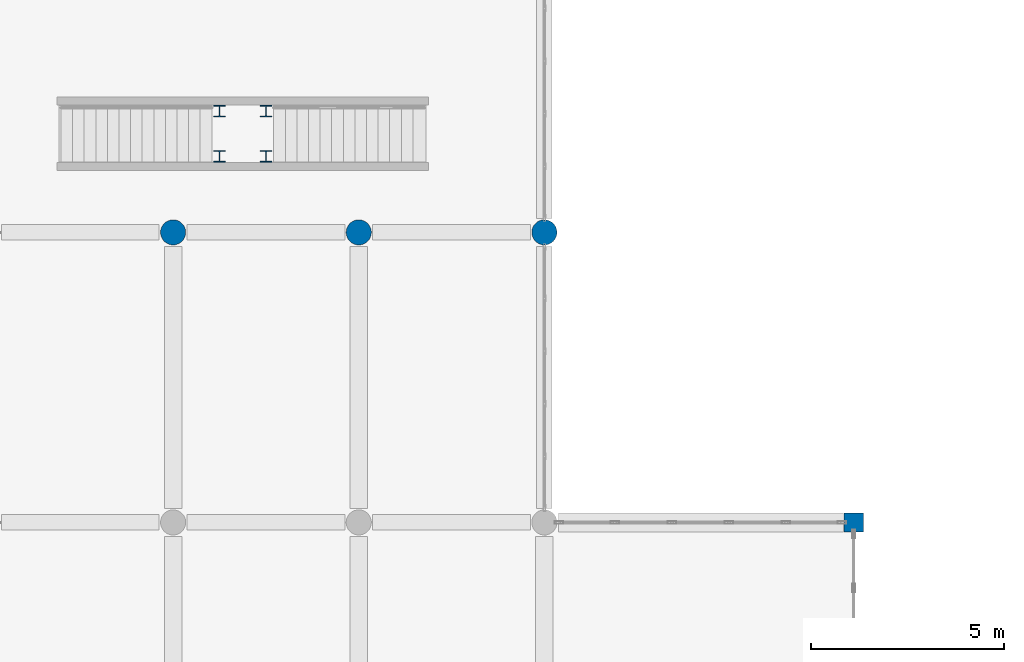
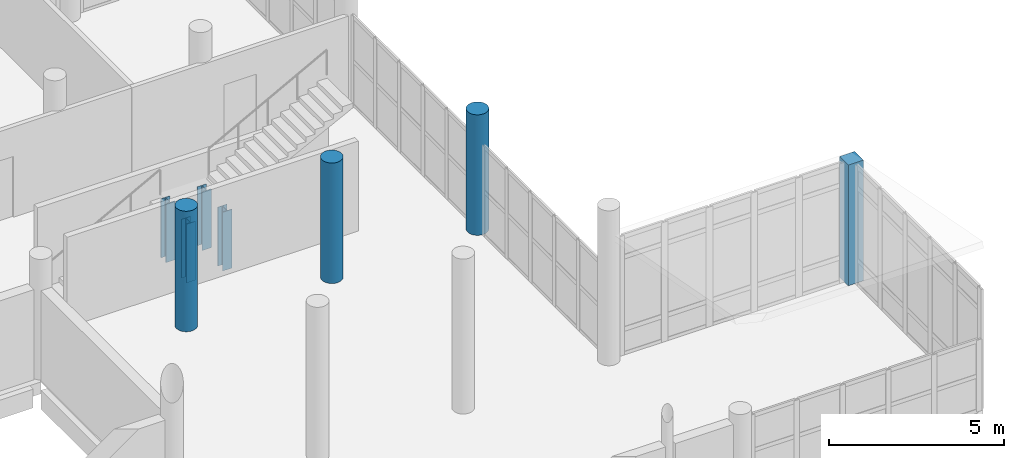
# One storey, part 11 of 164: 8 columns.
"""IFC4 building model written with IfcOpenShell, lengths in metres."""

from ifc_helpers import new_model, si_unit, direction, frame, origin, origin_2d, place, context, subcontext, project, spatial, rectangle, circle, i_section, extrude, material, material_profile, profile_set, type_object, element, save


model = new_model("IFC4")

# Units and contexts
model_context = context("Model", 3, precision=1e-05, world=origin(), true_north=direction((0.0, 1.0)))
body_context = subcontext(model_context, "Body", "Model", "MODEL_VIEW")
ifc_project = project(units=[si_unit("LENGTHUNIT", "METRE"), si_unit("AREAUNIT", "SQUARE_METRE"), si_unit("VOLUMEUNIT", "CUBIC_METRE"), si_unit("PLANEANGLEUNIT", "RADIAN"), si_unit("MASSUNIT", "GRAM", prefix="KILO")], contexts=[model_context])

# Site, building, storey
site_placement = place(None, origin())
site = spatial("IfcSite", under=ifc_project, at=site_placement, CompositionType="ELEMENT")
building_placement = place(site_placement, origin())
building = spatial("IfcBuilding", under=site, at=building_placement, Name="Mawjan Specialist Oncology Clinic", CompositionType="ELEMENT")
storey_placement = place(building_placement, frame((0.0, 0.0, 5.0)))
storey = spatial("IfcBuildingStorey", under=building, at=storey_placement, Name="L01", CompositionType="ELEMENT", Elevation=5.0)

# Columns
ifc_material_1 = material(Name="Concrete C45/55", Category="concrete")
ifc_material_profile_1 = material_profile(ifc_material_1, rectangle(XDim=0.5, YDim=0.5, at=origin_2d()), Name="RC COL 500x500", Category="concrete")
ifc_profile_set_1 = profile_set([ifc_material_profile_1], Name="Concrete C45/55")
column_type_1 = type_object("IfcColumnType", Name="C-500", PredefinedType="COLUMN", material=ifc_profile_set_1)
column_placement = place(storey_placement, frame((116.0, 53.300048828125, 0.0), z_axis=(0.0, 0.0, 1.0), x_axis=(1.0, 0.0, 0.0)))
element("IfcColumn", 1, at=column_placement, inside=storey, type_object=column_type_1, Name="L01 Column G-20-H", PredefinedType="COLUMN", context=body_context, shape_type="SweptSolid", body=[
    extrude(rectangle(XDim=0.5, YDim=0.5, at=origin_2d()), origin(), (0.0, 0.0, 1.0), 4.2060546875),
])
ifc_material_2 = material(Name="Concrete C45/55", Category="concrete")
ifc_material_profile_2 = material_profile(ifc_material_2, circle(Radius=0.324951171875, at=origin_2d()), Name="RC COL D650", Category="concrete")
ifc_profile_set_2 = profile_set([ifc_material_profile_2], Name="Concrete C45/55")
column_type_2 = type_object("IfcColumnType", Name="C-D650", PredefinedType="COLUMN", material=ifc_profile_set_2)
for number, where, z_axis, x_axis, name in (
    (2, (108.0, 60.800048828125, 0.0), (0.0, 0.0, 1.0), (1.0, 0.0, 0.0), "L01 Column G-19-J"),
    (3, (98.39990234375, 60.800048828125, 0.0), (0.0, 0.0, 1.0), (1.0, 0.0, 0.0), "Hall Valley L01 Column 9-60"),
    (4, (103.199951171875, 60.800048828125, 0.0), (0.0, 0.0, 1.0), (1.0, 0.0, 0.0), "Hall Valley L01 Column 10-60"),
):
    element("IfcColumn", number, at=place(storey_placement, frame(where, z_axis=z_axis, x_axis=x_axis)), inside=storey, type_object=column_type_2, Name=name, PredefinedType="COLUMN", context=body_context, shape_type="SweptSolid", body=[
        extrude(circle(Radius=0.324951171875, at=origin_2d()), origin(), (0.0, 0.0, 1.0), 4.199951171875),
    ])
ifc_material_3 = material(Name="Structural steel S355", Category="steel")
ifc_material_profile_3 = material_profile(ifc_material_3, i_section(OverallWidth=0.300048828125, OverallDepth=0.300048828125, WebThickness=0.010986328125, FlangeThickness=0.01904296875, FilletRadius=0.027099609375, at=origin_2d()), Name="HEB 300", Category="steel")
ifc_profile_set_3 = profile_set([ifc_material_profile_3], Name="Structural steel S355")
column_type_3 = type_object("IfcColumnType", Name="SC-HEB300", PredefinedType="COLUMN", material=ifc_profile_set_3)
for number, where, z_axis, x_axis, name in (
    (5, (99.60009765625, 62.764892578125, 0.0), (0.0, 0.0, 1.0), (1.0, 0.0, 0.0), "ST-13 Landing Support Post 1"),
    (6, (100.800048828125, 62.764892578125, 0.0), (0.0, 0.0, 1.0), (1.0, 0.0, 0.0), "ST-13 Landing Support Post 2"),
    (7, (100.800048828125, 63.93505859375, 0.0), (0.0, 0.0, 1.0), (1.0, 0.0, 0.0), "ST-13 Landing Support Post 3"),
    (8, (99.60009765625, 63.93505859375, 0.0), (0.0, 0.0, 1.0), (1.0, 0.0, 0.0), "ST-13 Landing Support Post 4"),
):
    element("IfcColumn", number, at=place(storey_placement, frame(where, z_axis=z_axis, x_axis=x_axis)), inside=storey, type_object=column_type_3, Name=name, PredefinedType="COLUMN", context=body_context, shape_type="SweptSolid", body=[
        extrude(i_section(OverallWidth=0.300048828125, OverallDepth=0.300048828125, WebThickness=0.010986328125, FlangeThickness=0.01904296875, FilletRadius=0.027099609375, at=origin_2d()), origin(), (0.0, 0.0, 1.0), 2.050048828125),
    ])

save(model, "model.ifc")
